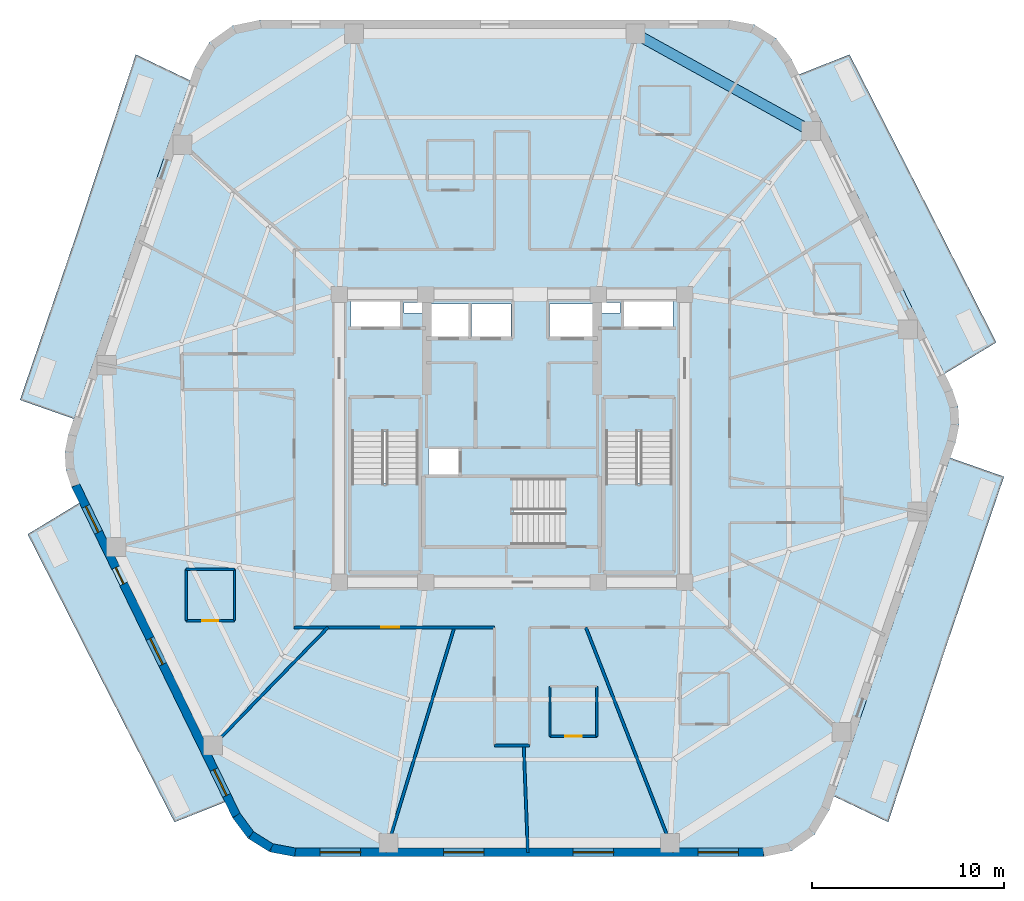
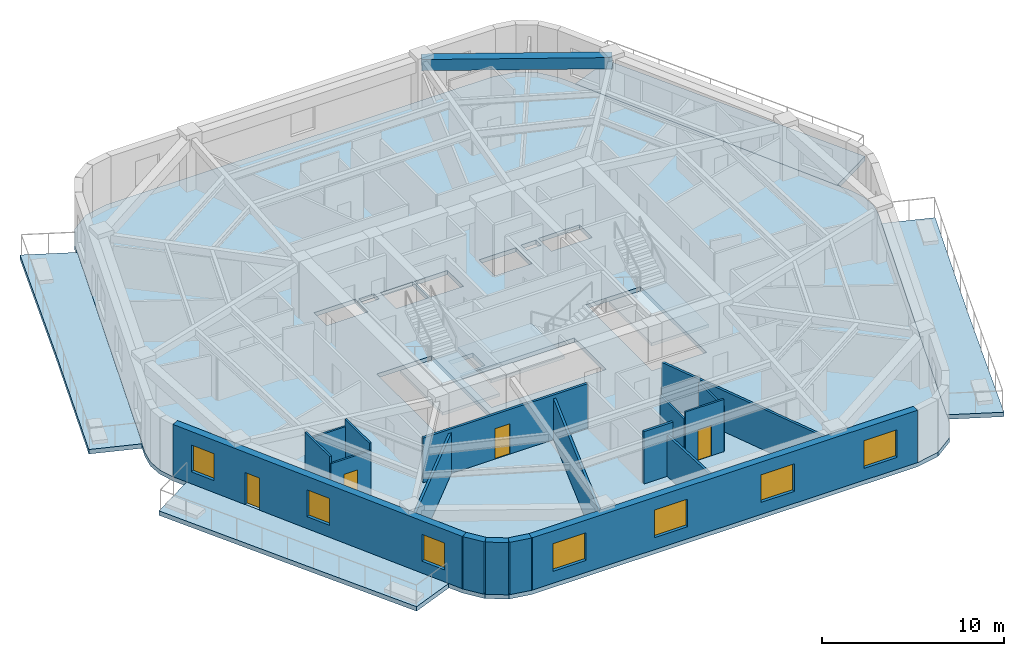
# One storey, part 2 of 9: 18 walls, 8 slabs, 7 windows, 4 doors, 1 beam, 11 openings, 3 elements without a shape of their own.
"""IFC4 building model written with IfcOpenShell, lengths in metres."""

from ifc_helpers import new_model, si_unit, direction, frame, frame_2d, origin, origin_2d, place, context, subcontext, project, spatial, polyline, rectangle, outline, extrude, material, layer, layer_set, material_profile, profile_set, type_object, element, fill, aggregate, save


model = new_model("IFC4")

# Units and contexts
model_context = context("Model", 3, precision=1e-05, world=origin(), true_north=direction((0.0, 1.0)))
body_context = subcontext(model_context, "Body", "Model", "MODEL_VIEW")
ifc_project = project(units=[si_unit("LENGTHUNIT", "METRE"), si_unit("AREAUNIT", "SQUARE_METRE"), si_unit("VOLUMEUNIT", "CUBIC_METRE"), si_unit("PLANEANGLEUNIT", "RADIAN"), si_unit("MASSUNIT", "GRAM", prefix="KILO")], contexts=[model_context])

# Site, building, storey
site_placement = place(None, origin())
site = spatial("IfcSite", under=ifc_project, at=site_placement, CompositionType="ELEMENT")
building_placement = place(site_placement, origin())
building = spatial("IfcBuilding", under=site, at=building_placement, Name="Kilnhurst Terrace Hotel", CompositionType="ELEMENT")
storey_placement = place(building_placement, frame((0.0, 0.0, 240.699951171875)))
storey = spatial("IfcBuildingStorey", under=building, at=storey_placement, Name="L60", CompositionType="ELEMENT", Elevation=240.699951171875)

# Beam
ifc_material_1 = material(Name="Concrete C50/60", Category="concrete")
ifc_material_profile = material_profile(ifc_material_1, rectangle(XDim=0.550048828125, YDim=0.75, at=origin_2d()), Name="RC550X750")
ifc_profile_set = profile_set([ifc_material_profile], Name="Concrete C50/60")
beam_type = type_object("IfcBeamType", Name="BM-SPN-550X750", PredefinedType="SPANDREL", material=ifc_profile_set)
beam_placement = place(storey_placement, frame((15.5869140625, 16.012939453125, 3.125), z_axis=(-0.874970333121, 0.484176534085, 0.0), x_axis=(-0.484176534085, -0.874970333121, 0.0)))
element("IfcBeam", 1, at=beam_placement, inside=storey, type_object=beam_type, Name="L60 Perimeter Spandrel Beam 6", PredefinedType="SPANDREL", context=body_context, shape_type="SweptSolid", body=[
    extrude(rectangle(XDim=0.550048828125, YDim=0.75, at=origin_2d()), origin(), (0.0, 0.0, 1.0), 10.465576171875),
])

# Slabs
ifc_layer_1 = layer(ifc_material_1, 0.300048828125, Name="Concrete C50/60")
ifc_layer_set_1 = layer_set([ifc_layer_1], Name="Concrete C50/60")
slab_type_1 = type_object("IfcSlabType", Name="SLB-BAL-300", PredefinedType="FLOOR", material=ifc_layer_set_1)
slab_1_placement = place(storey_placement, frame((0.0, 0.0, -0.300048828125)))
element("IfcSlab", 2, at=slab_1_placement, inside=storey, type_object=slab_type_1, Name="L60 Cantilevered Planted Terrace Slab BAL-L1A", PredefinedType="FLOOR", context=body_context, shape_type="SweptSolid", body=[
    extrude(outline(polyline([(22.650146484375, -10.76171875), (19.604736328125, -20.0), (16.75830078125, -18.64208984375), (22.8193359375, -1.010498046875), (25.638916015625, -2.0), (22.650146484375, -10.76171875)])), origin(), (0.0, 0.0, 1.0), 0.300048828125),
])
slab_2_placement = place(storey_placement, frame((0.0, 0.0, -0.300048828125)))
element("IfcSlab", 3, at=slab_2_placement, inside=storey, type_object=slab_type_1, Name="L60 Cantilevered Planted Terrace Slab BAL-L1B", PredefinedType="FLOOR", context=body_context, shape_type="SweptSolid", body=[
    extrude(outline(polyline([(25.237548828125, 5.0), (22.527587890625, 3.356201171875), (14.93505859375, 18.95068359375), (17.5888671875, 20.0), (21.440185546875, 12.465576171875), (25.237548828125, 5.0)])), origin(), (0.0, 0.0, 1.0), 0.300048828125),
])
slab_3_placement = place(storey_placement, frame((0.0, 0.0, -0.300048828125)))
element("IfcSlab", 4, at=slab_3_placement, inside=storey, type_object=slab_type_1, Name="L60 Cantilevered Planted Terrace Slab BAL-L2A", PredefinedType="FLOOR", context=body_context, shape_type="SweptSolid", body=[
    extrude(outline(polyline([(-19.604736328125, 20.0), (-16.75830078125, 18.64208984375), (-22.8193359375, 1.010498046875), (-25.638916015625, 2.0), (-22.650146484375, 10.76171875), (-19.604736328125, 20.0)])), origin(), (0.0, 0.0, 1.0), 0.300048828125),
])
slab_4_placement = place(storey_placement, frame((0.0, 0.0, -0.300048828125)))
element("IfcSlab", 5, at=slab_4_placement, inside=storey, type_object=slab_type_1, Name="L60 Cantilevered Planted Terrace Slab BAL-L2B", PredefinedType="FLOOR", context=body_context, shape_type="SweptSolid", body=[
    extrude(outline(polyline([(-25.237548828125, -5.0), (-22.527587890625, -3.356201171875), (-14.93505859375, -18.95068359375), (-17.5888671875, -20.0), (-21.440185546875, -12.465576171875), (-25.237548828125, -5.0)])), origin(), (0.0, 0.0, 1.0), 0.300048828125),
])
ifc_layer_2 = layer(ifc_material_1, 0.280029296875, Name="Concrete C50/60")
ifc_layer_set_2 = layer_set([ifc_layer_2], Name="Concrete C50/60")
slab_type_2 = type_object("IfcSlabType", Name="SLB-FLR-280", PredefinedType="FLOOR", material=ifc_layer_set_2)
slab_5_placement = place(storey_placement, frame((0.0, 0.0, -0.280029296875)))
element("IfcSlab", 6, at=slab_5_placement, inside=storey, type_object=slab_type_2, Name="L60 Structural Floor Slab", PredefinedType="FLOOR", context=body_context, shape_type="SweptSolid", body=[
    extrude(outline(polyline([(-14.555419921875, -19.77587890625), (-13.759765625, -20.845947265625), (-12.629150390625, -21.552978515625), (-11.318603515625, -21.800048828125), (13.124755859375, -21.800048828125), (14.5703125, -21.4970703125), (15.772705078125, -20.638916015625), (16.529296875, -19.370361328125), (23.1162109375, -0.208740234375), (23.302978515625, 0.710693359375), (23.24560546875, 1.6474609375), (22.948486328125, 2.537353515625), (14.555419921875, 19.77587890625), (13.759765625, 20.845947265625), (12.629150390625, 21.552978515625), (11.318603515625, 21.800048828125), (-13.124755859375, 21.800048828125), (-14.5703125, 21.4970703125), (-15.772705078125, 20.638916015625), (-16.529296875, 19.370361328125), (-23.1162109375, 0.208740234375), (-23.302978515625, -0.710693359375), (-23.24560546875, -1.6474609375), (-22.948486328125, -2.537353515625), (-14.555419921875, -19.77587890625)]), holes=[polyline([(-8.35009765625, 0.35498046875), (-4.8798828125, 0.35498046875), (-4.8798828125, -6.89990234375), (-8.35009765625, -6.89990234375), (-8.35009765625, 0.35498046875)]), polyline([(-2.800048828125, -1.89990234375), (-4.35009765625, -1.89990234375), (-4.35009765625, -0.550048828125), (-2.800048828125, -0.550048828125), (-2.800048828125, -1.89990234375)]), polyline([(-2.25, 5.25), (-4.300048828125, 5.25), (-4.300048828125, 7.0), (-2.25, 7.0), (-2.25, 5.25)]), polyline([(-2.1201171875, 5.25), (-2.1201171875, 7.0), (-0.050048828125, 7.0), (-0.050048828125, 5.25), (-2.1201171875, 5.25)]), polyline([(-8.39990234375, 5.75), (-8.39990234375, 7.14990234375), (-5.800048828125, 7.14990234375), (-5.800048828125, 5.75), (-8.39990234375, 5.75)]), polyline([(-4.659912109375, 6.52001953125), (-5.6201171875, 6.52001953125), (-5.6201171875, 7.080078125), (-4.659912109375, 7.080078125), (-4.659912109375, 6.52001953125)]), polyline([(2.7548828125, -5.550048828125), (-4.5, -5.550048828125), (-4.5, -2.080078125), (2.7548828125, -2.080078125), (2.7548828125, -5.550048828125)]), polyline([(8.35009765625, 0.35498046875), (8.35009765625, -6.89990234375), (4.8798828125, -6.89990234375), (4.8798828125, 0.35498046875), (8.35009765625, 0.35498046875)]), polyline([(4.300048828125, 5.25), (1.949951171875, 5.25), (1.949951171875, 7.0), (4.300048828125, 7.0), (4.300048828125, 5.25)]), polyline([(5.800048828125, 5.75), (5.800048828125, 7.14990234375), (8.39990234375, 7.14990234375), (8.39990234375, 5.75), (5.800048828125, 5.75)]), polyline([(4.659912109375, 6.52001953125), (4.659912109375, 7.080078125), (5.6201171875, 7.080078125), (5.6201171875, 6.52001953125), (4.659912109375, 6.52001953125)])]), origin(), (0.0, 0.0, 1.0), 0.280029296875),
])

# Stair, slab
stair_type = type_object("IfcStairType", Name="STR-CORE-1660", PredefinedType="HALF_TURN_STAIR", material=ifc_material_1)
stair_1_placement = place(storey_placement, origin())
stair_1 = element("IfcStair", 7, at=stair_1_placement, inside=storey, type_object=stair_type, Name="L60 ST-1", PredefinedType="HALF_TURN_STAIR")
ifc_layer_3 = layer(ifc_material_1, 0.199951171875, Name="Concrete C50/60")
ifc_layer_set_3 = layer_set([ifc_layer_3], Name="Concrete C50/60")
slab_type_3 = type_object("IfcSlabType", Name="SLB-ST-LND-200", PredefinedType="LANDING", material=ifc_layer_set_3)
slab_6_placement = place(storey_placement, frame((0.0, 0.0, 1.699951171875)))
slab_6 = element("IfcSlab", 8, at=slab_6_placement, type_object=slab_type_3, Name="ST-1 landing 1", PredefinedType="LANDING", context=body_context, shape_type="SweptSolid", body=[
    extrude(outline(polyline([(-8.429931640625, -2.330078125), (-4.800048828125, -2.330078125), (-4.800048828125, -6.97998046875), (-8.429931640625, -6.97998046875), (-8.429931640625, -2.330078125)])), origin(), (0.0, 0.0, 1.0), 0.2001953125),
])
aggregate(stair_1, [slab_6])

stair_2_placement = place(storey_placement, origin())
stair_2 = element("IfcStair", 9, at=stair_2_placement, inside=storey, type_object=stair_type, Name="L60 ST-2", PredefinedType="HALF_TURN_STAIR")
slab_7_placement = place(storey_placement, frame((0.0, 0.0, 1.699951171875)))
slab_7 = element("IfcSlab", 10, at=slab_7_placement, type_object=slab_type_3, Name="ST-2 landing 1", PredefinedType="LANDING", context=body_context, shape_type="SweptSolid", body=[
    extrude(outline(polyline([(4.800048828125, -2.330078125), (8.429931640625, -2.330078125), (8.429931640625, -6.97998046875), (4.800048828125, -6.97998046875), (4.800048828125, -2.330078125)])), origin(), (0.0, 0.0, 1.0), 0.2001953125),
])
aggregate(stair_2, [slab_7])

stair_3_placement = place(storey_placement, origin())
stair_3 = element("IfcStair", 11, at=stair_3_placement, inside=storey, type_object=stair_type, Name="L60 ST-3", PredefinedType="HALF_TURN_STAIR")
slab_8_placement = place(storey_placement, frame((0.0, 0.0, 1.699951171875)))
slab_8 = element("IfcSlab", 12, at=slab_8_placement, type_object=slab_type_3, Name="ST-3 landing 1", PredefinedType="LANDING", context=body_context, shape_type="SweptSolid", body=[
    extrude(outline(polyline([(0.070068359375, -2.0), (0.070068359375, -5.6298828125), (-4.580078125, -5.6298828125), (-4.580078125, -2.0), (0.070068359375, -2.0)])), origin(), (0.0, 0.0, 1.0), 0.2001953125),
])
aggregate(stair_3, [slab_8])

# Walls
ifc_material_2 = material(Name="Precast concrete C40/50", Category="concrete")
ifc_layer_4 = layer(ifc_material_2, 0.449951171875, Name="Precast concrete C40/50")
ifc_layer_set_4 = layer_set([ifc_layer_4], Name="Precast concrete C40/50")
wall_type_1 = type_object("IfcWallType", Name="WL-BRK-450", PredefinedType="SOLIDWALL", material=ifc_layer_set_4)
wall_1_placement = place(storey_placement, frame((-14.3623046875, -19.658447265625, 0.0), z_axis=(0.0, 0.0, 1.0), x_axis=(0.596642462792, -0.80250717853, 0.0)))
element("IfcWall", 13, at=wall_1_placement, inside=storey, type_object=wall_type_1, Name="L60 Rounded Corner Brick Wall C1.1", PredefinedType="SOLIDWALL", context=body_context, shape_type="SweptSolid", body=[
    extrude(rectangle(XDim=1.27001953125, YDim=0.449951171875, at=frame_2d((0.635009765625, 0.0))), origin(), (0.0, 0.0, 1.0), 3.5),
])
wall_2_placement = place(storey_placement, frame((-13.6044921875, -20.677734375, 0.0), z_axis=(0.0, 0.0, 1.0), x_axis=(0.847910404124, -0.53013955387, 0.0)))
element("IfcWall", 14, at=wall_2_placement, inside=storey, type_object=wall_type_1, Name="L60 Rounded Corner Brick Wall C1.2", PredefinedType="SOLIDWALL", context=body_context, shape_type="SweptSolid", body=[
    extrude(rectangle(XDim=1.24853515625, YDim=0.449951171875, at=frame_2d((0.624267578125, 0.0))), origin(), (0.0, 0.0, 1.0), 3.5),
])
wall_3_placement = place(storey_placement, frame((-12.5458984375, -21.339599609375, 0.0), z_axis=(0.0, 0.0, 1.0), x_axis=(0.982686750835, -0.18527479519, 0.0)))
element("IfcWall", 15, at=wall_3_placement, inside=storey, type_object=wall_type_1, Name="L60 Rounded Corner Brick Wall C1.3", PredefinedType="SOLIDWALL", context=body_context, shape_type="SweptSolid", body=[
    extrude(rectangle(XDim=1.270263671875, YDim=0.449951171875, at=frame_2d((0.63525390625, 0.0))), origin(), (0.0, 0.0, 1.0), 3.5),
])

# Wall, openings, windows
wall_4_placement = place(storey_placement, frame((-11.297607421875, -21.574951171875, 0.0), z_axis=(0.0, 0.0, 1.0), x_axis=(1.0, 0.0, 0.0)))
wall_4 = element("IfcWall", 16, at=wall_4_placement, inside=storey, type_object=wall_type_1, Name="L60 Exterior Brick Facade Wall F1", PredefinedType="SOLIDWALL", context=body_context, shape_type="SweptSolid", body=[
    extrude(rectangle(XDim=24.399169921875, YDim=0.449951171875, at=frame_2d((12.19970703125, 0.0))), origin(), (0.0, 0.0, 1.0), 3.5),
])
opening_1_placement = place(wall_4_placement, frame((1.303955078125, 0.0, 0.800048828125)))
opening_1 = element("IfcOpeningElement", 17, at=opening_1_placement, cuts=wall_4, Name="Opening W-04", PredefinedType="OPENING", context=body_context, shape_type="SweptSolid", body=[
    extrude(rectangle(XDim=2.10009765625, YDim=1.85009765625, at=frame_2d((1.050048828125, 0.925048828125))), frame((0.0, 0.23486328125, 0.0), z_axis=(0.0, -1.0, 0.0), x_axis=(1.0, 0.0, 0.0)), (0.0, 0.0, 1.0), 0.469970703125),
])
opening_2_placement = place(wall_4_placement, frame((7.735107421875, 0.0, 0.800048828125)))
opening_2 = element("IfcOpeningElement", 18, at=opening_2_placement, cuts=wall_4, Name="Opening W-04", PredefinedType="OPENING", context=body_context, shape_type="SweptSolid", body=[
    extrude(rectangle(XDim=2.10009765625, YDim=1.85009765625, at=frame_2d((1.050048828125, 0.925048828125))), frame((0.0, 0.23486328125, 0.0), z_axis=(0.0, -1.0, 0.0), x_axis=(1.0, 0.0, 0.0)), (0.0, 0.0, 1.0), 0.469970703125),
])
opening_3_placement = place(wall_4_placement, frame((14.488037109375, 0.0, 0.800048828125)))
opening_3 = element("IfcOpeningElement", 19, at=opening_3_placement, cuts=wall_4, Name="Opening W-04", PredefinedType="OPENING", context=body_context, shape_type="SweptSolid", body=[
    extrude(rectangle(XDim=2.10009765625, YDim=1.85009765625, at=frame_2d((1.050048828125, 0.925048828125))), frame((0.0, 0.23486328125, 0.0), z_axis=(0.0, -1.0, 0.0), x_axis=(1.0, 0.0, 0.0)), (0.0, 0.0, 1.0), 0.469970703125),
])
opening_4_placement = place(wall_4_placement, frame((20.99609375, 0.0, 0.800048828125)))
opening_4 = element("IfcOpeningElement", 20, at=opening_4_placement, cuts=wall_4, Name="Opening W-04", PredefinedType="OPENING", context=body_context, shape_type="SweptSolid", body=[
    extrude(rectangle(XDim=2.10009765625, YDim=1.85009765625, at=frame_2d((1.050048828125, 0.925048828125))), frame((0.0, 0.23486328125, 0.0), z_axis=(0.0, -1.0, 0.0), x_axis=(1.0, 0.0, 0.0)), (0.0, 0.0, 1.0), 0.469970703125),
])
ifc_material_3 = material(Name="Thermally Broken Bronze Aluminium Alloy 6063-T6 and Low-E Glass", Category="aluminium")
window_type_1 = type_object("IfcWindowType", Name="WIN-2100X1850", PartitioningType="SINGLE_PANEL", PredefinedType="WINDOW", material=ifc_material_3)
window_1_placement = place(opening_1_placement, origin())
window_1 = element("IfcWindow", 21, at=window_1_placement, inside=storey, type_object=window_type_1, Name="L60 Deep-Set Masonry Window F1.1", OverallHeight=1.85009765625, OverallWidth=2.10009765625, PartitioningType="SINGLE_PANEL", PredefinedType="WINDOW", context=body_context, shape_type="SweptSolid", body=[
    extrude(rectangle(XDim=2.10009765625, YDim=1.85009765625, at=frame_2d((1.050048828125, 0.925048828125))), frame((0.0, 0.030029296875, 0.0), z_axis=(0.0, -1.0, 0.0), x_axis=(1.0, 0.0, 0.0)), (0.0, 0.0, 1.0), 0.06005859375),
])
fill(opening_1, window_1)
window_2_placement = place(opening_2_placement, origin())
window_2 = element("IfcWindow", 22, at=window_2_placement, inside=storey, type_object=window_type_1, Name="L60 Deep-Set Masonry Window F1.2", OverallHeight=1.85009765625, OverallWidth=2.10009765625, PartitioningType="SINGLE_PANEL", PredefinedType="WINDOW", context=body_context, shape_type="SweptSolid", body=[
    extrude(rectangle(XDim=2.10009765625, YDim=1.85009765625, at=frame_2d((1.050048828125, 0.925048828125))), frame((0.0, 0.030029296875, 0.0), z_axis=(0.0, -1.0, 0.0), x_axis=(1.0, 0.0, 0.0)), (0.0, 0.0, 1.0), 0.06005859375),
])
fill(opening_2, window_2)
window_3_placement = place(opening_3_placement, origin())
window_3 = element("IfcWindow", 23, at=window_3_placement, inside=storey, type_object=window_type_1, Name="L60 Deep-Set Masonry Window F1.3", OverallHeight=1.85009765625, OverallWidth=2.10009765625, PartitioningType="SINGLE_PANEL", PredefinedType="WINDOW", context=body_context, shape_type="SweptSolid", body=[
    extrude(rectangle(XDim=2.10009765625, YDim=1.85009765625, at=frame_2d((1.050048828125, 0.925048828125))), frame((0.0, 0.030029296875, 0.0), z_axis=(0.0, -1.0, 0.0), x_axis=(1.0, 0.0, 0.0)), (0.0, 0.0, 1.0), 0.06005859375),
])
fill(opening_3, window_3)
window_4_placement = place(opening_4_placement, origin())
window_4 = element("IfcWindow", 24, at=window_4_placement, inside=storey, type_object=window_type_1, Name="L60 Deep-Set Masonry Window F1.4", OverallHeight=1.85009765625, OverallWidth=2.10009765625, PartitioningType="SINGLE_PANEL", PredefinedType="WINDOW", context=body_context, shape_type="SweptSolid", body=[
    extrude(rectangle(XDim=2.10009765625, YDim=1.85009765625, at=frame_2d((1.050048828125, 0.925048828125))), frame((0.0, 0.030029296875, 0.0), z_axis=(0.0, -1.0, 0.0), x_axis=(1.0, 0.0, 0.0)), (0.0, 0.0, 1.0), 0.06005859375),
])
fill(opening_4, window_4)

# Wall, openings, door, windows
wall_5_placement = place(storey_placement, frame((-22.73974609375, -2.4521484375, 0.0), z_axis=(0.0, 0.0, 1.0), x_axis=(0.437753424814, -0.899095066755, 0.0)))
wall_5 = element("IfcWall", 25, at=wall_5_placement, inside=storey, type_object=wall_type_1, Name="L60 Exterior Brick Facade Wall F6", PredefinedType="SOLIDWALL", context=body_context, shape_type="SweptSolid", body=[
    extrude(rectangle(XDim=19.137451171875, YDim=0.449951171875, at=frame_2d((9.56884765625, 0.0))), origin(), (0.0, 0.0, 1.0), 3.5),
])
opening_5_placement = place(wall_5_placement, frame((4.762939453125, 0.0, 0.0)))
opening_5 = element("IfcOpeningElement", 26, at=opening_5_placement, cuts=wall_5, Name="Opening BD-950", PredefinedType="OPENING", context=body_context, shape_type="SweptSolid", body=[
    extrude(rectangle(XDim=0.949951171875, YDim=2.14990234375, at=frame_2d((0.47509765625, 1.074951171875))), frame((0.0, 0.23486328125, 0.0), z_axis=(0.0, -1.0, 0.0), x_axis=(1.0, 0.0, 0.0)), (0.0, 0.0, 1.0), 0.469970703125),
])
opening_6_placement = place(wall_5_placement, frame((1.216064453125, 0.0, 0.800048828125)))
opening_6 = element("IfcOpeningElement", 27, at=opening_6_placement, cuts=wall_5, Name="Opening W-02", PredefinedType="OPENING", context=body_context, shape_type="SweptSolid", body=[
    extrude(rectangle(XDim=1.5, YDim=1.800048828125, at=frame_2d((0.75, 0.89990234375))), frame((0.0, 0.23486328125, 0.0), z_axis=(0.0, -1.0, 0.0), x_axis=(1.0, 0.0, 0.0)), (0.0, 0.0, 1.0), 0.469970703125),
])
opening_7_placement = place(wall_5_placement, frame((8.8701171875, 0.0, 0.800048828125)))
opening_7 = element("IfcOpeningElement", 28, at=opening_7_placement, cuts=wall_5, Name="Opening W-02", PredefinedType="OPENING", context=body_context, shape_type="SweptSolid", body=[
    extrude(rectangle(XDim=1.5, YDim=1.800048828125, at=frame_2d((0.75, 0.89990234375))), frame((0.0, 0.23486328125, 0.0), z_axis=(0.0, -1.0, 0.0), x_axis=(1.0, 0.0, 0.0)), (0.0, 0.0, 1.0), 0.469970703125),
])
opening_8_placement = place(wall_5_placement, frame((16.472900390625, 0.0, 0.800048828125)))
opening_8 = element("IfcOpeningElement", 29, at=opening_8_placement, cuts=wall_5, Name="Opening W-02", PredefinedType="OPENING", context=body_context, shape_type="SweptSolid", body=[
    extrude(rectangle(XDim=1.5, YDim=1.800048828125, at=frame_2d((0.75, 0.89990234375))), frame((0.0, 0.23486328125, 0.0), z_axis=(0.0, -1.0, 0.0), x_axis=(1.0, 0.0, 0.0)), (0.0, 0.0, 1.0), 0.469970703125),
])
ifc_material_4 = material(Name="Thermally Broken Bronze Aluminium Alloy 6063-T6 and Laminated Glass", Category="aluminium")
door_type_1 = type_object("IfcDoorType", Name="DR-EXT-BAL-950", OperationType="NOTDEFINED", PredefinedType="DOOR", material=ifc_material_4)
door_1_placement = place(opening_5_placement, origin())
door_1 = element("IfcDoor", 30, at=door_1_placement, inside=storey, type_object=door_type_1, Name="L60 Planted Balcony Door BAL-L2B", OperationType="SINGLE_SWING_RIGHT", OverallHeight=2.14990234375, OverallWidth=0.949951171875, PredefinedType="DOOR", context=body_context, shape_type="SweptSolid", body=[
    extrude(rectangle(XDim=0.949951171875, YDim=2.14990234375, at=frame_2d((0.47509765625, 1.074951171875))), frame((0.0, 0.02490234375, 0.0), z_axis=(0.0, -1.0, 0.0), x_axis=(1.0, 0.0, 0.0)), (0.0, 0.0, 1.0), 0.050048828125),
])
fill(opening_5, door_1)
window_type_2 = type_object("IfcWindowType", Name="WIN-1500X1800", PartitioningType="SINGLE_PANEL", PredefinedType="WINDOW", material=ifc_material_3)
window_5_placement = place(opening_6_placement, origin())
window_5 = element("IfcWindow", 31, at=window_5_placement, inside=storey, type_object=window_type_2, Name="L60 Deep-Set Masonry Window F6.1", OverallHeight=1.800048828125, OverallWidth=1.5, PartitioningType="SINGLE_PANEL", PredefinedType="WINDOW", context=body_context, shape_type="SweptSolid", body=[
    extrude(rectangle(XDim=1.5, YDim=1.800048828125, at=frame_2d((0.75, 0.89990234375))), frame((0.0, 0.030029296875, 0.0), z_axis=(0.0, -1.0, 0.0), x_axis=(1.0, 0.0, 0.0)), (0.0, 0.0, 1.0), 0.06005859375),
])
fill(opening_6, window_5)
window_6_placement = place(opening_7_placement, origin())
window_6 = element("IfcWindow", 32, at=window_6_placement, inside=storey, type_object=window_type_2, Name="L60 Deep-Set Masonry Window F6.2", OverallHeight=1.800048828125, OverallWidth=1.5, PartitioningType="SINGLE_PANEL", PredefinedType="WINDOW", context=body_context, shape_type="SweptSolid", body=[
    extrude(rectangle(XDim=1.5, YDim=1.800048828125, at=frame_2d((0.75, 0.89990234375))), frame((0.0, 0.030029296875, 0.0), z_axis=(0.0, -1.0, 0.0), x_axis=(1.0, 0.0, 0.0)), (0.0, 0.0, 1.0), 0.06005859375),
])
fill(opening_7, window_6)
window_7_placement = place(opening_8_placement, origin())
window_7 = element("IfcWindow", 33, at=window_7_placement, inside=storey, type_object=window_type_2, Name="L60 Deep-Set Masonry Window F6.3", OverallHeight=1.800048828125, OverallWidth=1.5, PartitioningType="SINGLE_PANEL", PredefinedType="WINDOW", context=body_context, shape_type="SweptSolid", body=[
    extrude(rectangle(XDim=1.5, YDim=1.800048828125, at=frame_2d((0.75, 0.89990234375))), frame((0.0, 0.030029296875, 0.0), z_axis=(0.0, -1.0, 0.0), x_axis=(1.0, 0.0, 0.0)), (0.0, 0.0, 1.0), 0.06005859375),
])
fill(opening_8, window_7)

# Wall
ifc_material_5 = material(Name="Acoustic Double-Gypsum Corridor Partition Assembly")
ifc_layer_5 = layer(ifc_material_5, 0.14990234375, Name="Acoustic Double-Gypsum Corridor Partition Assembly")
ifc_layer_set_5 = layer_set([ifc_layer_5], Name="Acoustic Double-Gypsum Corridor Partition Assembly")
wall_type_2 = type_object("IfcWallType", Name="WL-COR-150", PredefinedType="PARTITIONING", material=ifc_layer_set_5)
wall_6_placement = place(storey_placement, frame((0.919921875, -16.0, 0.0), z_axis=(0.0, 0.0, 1.0), x_axis=(-1.0, 0.0, 0.0)))
element("IfcWall", 34, at=wall_6_placement, inside=storey, type_object=wall_type_2, Name="L60 Interior Wall WL-L60-COR-18", PredefinedType="PARTITIONING", context=body_context, shape_type="SweptSolid", body=[
    extrude(rectangle(XDim=1.83984375, YDim=0.14990234375, at=frame_2d((0.919921875, 0.0))), origin(), (0.0, 0.0, 1.0), 3.5),
])

# Wall, opening, door
wall_7_placement = place(storey_placement, frame((-0.919921875, -9.85009765625, 0.0), z_axis=(0.0, 0.0, 1.0), x_axis=(-1.0, 0.0, 0.0)))
wall_7 = element("IfcWall", 35, at=wall_7_placement, inside=storey, type_object=wall_type_2, Name="L60 Interior Wall WL-L60-COR-20", PredefinedType="PARTITIONING", context=body_context, shape_type="SweptSolid", body=[
    extrude(rectangle(XDim=10.43017578125, YDim=0.14990234375, at=frame_2d((5.215087890625, 0.0))), origin(), (0.0, 0.0, 1.0), 2.989990234375),
])
opening_9_placement = place(wall_7_placement, frame((4.948974609375, 0.0, 0.0)))
opening_9 = element("IfcOpeningElement", 36, at=opening_9_placement, cuts=wall_7, Name="Opening D-60B", PredefinedType="OPENING", context=body_context, shape_type="SweptSolid", body=[
    extrude(rectangle(XDim=0.949951171875, YDim=2.030029296875, at=frame_2d((0.47509765625, 1.01513671875))), frame((0.0, 0.0849609375, 0.0), z_axis=(0.0, -1.0, 0.0), x_axis=(1.0, 0.0, 0.0)), (0.0, 0.0, 1.0), 0.169921875),
])
ifc_material_6 = material(Name="Acoustic Walnut Veneer Solid-Core Fire Door")
door_type_2 = type_object("IfcDoorType", Name="DR-FD60-950", OperationType="NOTDEFINED", PredefinedType="DOOR", material=ifc_material_6)
door_2_placement = place(opening_9_placement, origin())
door_2 = element("IfcDoor", 37, at=door_2_placement, inside=storey, type_object=door_type_2, Name="L60 Executive Boardroom Door", OperationType="SINGLE_SWING_LEFT", OverallHeight=2.030029296875, OverallWidth=0.949951171875, PredefinedType="DOOR", context=body_context, shape_type="SweptSolid", body=[
    extrude(rectangle(XDim=0.949951171875, YDim=2.030029296875, at=frame_2d((0.47509765625, 1.01513671875))), frame((0.0, 0.02490234375, 0.0), z_axis=(0.0, -1.0, 0.0), x_axis=(1.0, 0.0, 0.0)), (0.0, 0.0, 1.0), 0.050048828125),
])
fill(opening_9, door_2)

# Walls
ifc_material_7 = material(Name="STC-58 Acoustic Twin-Frame Guestroom Demising Partition")
ifc_layer_6 = layer(ifc_material_7, 0.14990234375, Name="STC-58 Acoustic Twin-Frame Guestroom Demising Partition")
ifc_layer_set_6 = layer_set([ifc_layer_6], Name="STC-58 Acoustic Twin-Frame Guestroom Demising Partition")
wall_type_3 = type_object("IfcWallType", Name="WL-DEM-150", PredefinedType="PARTITIONING", material=ifc_layer_set_6)
wall_8_placement = place(storey_placement, frame((-9.587890625, -9.85009765625, 0.0), z_axis=(0.0, 0.0, 1.0), x_axis=(-0.697519469595, -0.716565830567, 0.0)))
element("IfcWall", 38, at=wall_8_placement, inside=storey, type_object=wall_type_3, Name="L60 Interior Wall WL-L60-DEM-COL08-11-1", PredefinedType="PARTITIONING", context=body_context, shape_type="SweptSolid", body=[
    extrude(rectangle(XDim=9.12646484375, YDim=0.14990234375, at=frame_2d((4.563232421875, 0.0))), origin(), (0.0, 0.0, 1.0), 2.739990234375),
])
wall_9_placement = place(storey_placement, frame((-3.00439453125, -9.85009765625, 0.0), z_axis=(0.0, 0.0, 1.0), x_axis=(-0.291775760688, -0.956486751333, 0.0)))
element("IfcWall", 39, at=wall_9_placement, inside=storey, type_object=wall_type_3, Name="L60 Interior Wall WL-L60-DEM-COL09-12-1", PredefinedType="PARTITIONING", context=body_context, shape_type="SweptSolid", body=[
    extrude(rectangle(XDim=12.25830078125, YDim=0.14990234375, at=frame_2d((6.129150390625, 0.0))), origin(), (0.0, 0.0, 1.0), 2.739990234375),
])
wall_10_placement = place(storey_placement, frame((0.611572265625, -16.0, 0.0), z_axis=(0.0, 0.0, 1.0), x_axis=(0.038202877739, -0.999270003619, 0.0)))
element("IfcWall", 40, at=wall_10_placement, inside=storey, type_object=wall_type_3, Name="L60 Interior Wall WL-L60-DEM-MID09-13-1", PredefinedType="PARTITIONING", context=body_context, shape_type="SweptSolid", body=[
    extrude(rectangle(XDim=5.5791015625, YDim=0.14990234375, at=frame_2d((2.78955078125, 0.0))), origin(), (0.0, 0.0, 1.0), 2.739990234375),
])
wall_11_placement = place(storey_placement, frame((3.848388671875, -9.85009765625, 0.0), z_axis=(0.0, 0.0, 1.0), x_axis=(0.363921778212, -0.931429513889, 0.0)))
element("IfcWall", 41, at=wall_11_placement, inside=storey, type_object=wall_type_3, Name="L60 Interior Wall WL-L60-DEM-COL10-14-1", PredefinedType="PARTITIONING", context=body_context, shape_type="SweptSolid", body=[
    extrude(rectangle(XDim=12.588134765625, YDim=0.14990234375, at=frame_2d((6.2939453125, 0.0))), origin(), (0.0, 0.0, 1.0), 2.739990234375),
])

# Wall, opening, door
ifc_material_8 = material(Name="120 mm Moisture-Resistant Tile-Backed Bathroom Partition")
ifc_layer_7 = layer(ifc_material_8, 0.1201171875, Name="120 mm Moisture-Resistant Tile-Backed Bathroom Partition")
ifc_layer_set_7 = layer_set([ifc_layer_7], Name="120 mm Moisture-Resistant Tile-Backed Bathroom Partition")
wall_type_4 = type_object("IfcWallType", Name="WL-PART-120", PredefinedType="PARTITIONING", material=ifc_layer_set_7)
wall_12_placement = place(storey_placement, frame((-16.97998046875, -9.5048828125, 0.0), z_axis=(0.0, 0.0, 1.0), x_axis=(1.0, 0.0, 0.0)))
wall_12 = element("IfcWall", 42, at=wall_12_placement, inside=storey, type_object=wall_type_4, Name="L60 Interior Wall WL-L60-BTH-10-1", PredefinedType="PARTITIONING", context=body_context, shape_type="SweptSolid", body=[
    extrude(rectangle(XDim=2.52001953125, YDim=0.1201171875, at=frame_2d((1.260009765625, 0.0))), origin(), (0.0, 0.0, 1.0), 3.026611328125),
])
opening_10_placement = place(wall_12_placement, frame((0.8349609375, 0.0, 0.0)))
opening_10 = element("IfcOpeningElement", 43, at=opening_10_placement, cuts=wall_12, Name="Opening D-08A", PredefinedType="OPENING", context=body_context, shape_type="SweptSolid", body=[
    extrude(rectangle(XDim=0.85009765625, YDim=2.030029296875, at=frame_2d((0.425048828125, 1.01513671875))), frame((0.0, 0.070068359375, 0.0), z_axis=(0.0, -1.0, 0.0), x_axis=(1.0, 0.0, 0.0)), (0.0, 0.0, 1.0), 0.14013671875),
])
ifc_material_9 = material(Name="Moisture-Resistant Lacquered En-suite Bathroom Door")
door_type_3 = type_object("IfcDoorType", Name="DR-INT-850", OperationType="NOTDEFINED", PredefinedType="DOOR", material=ifc_material_9)
door_3_placement = place(opening_10_placement, origin())
door_3 = element("IfcDoor", 44, at=door_3_placement, inside=storey, type_object=door_type_3, Name="L60 En-suite Bathroom Door 10", OperationType="SINGLE_SWING_LEFT", OverallHeight=2.030029296875, OverallWidth=0.85009765625, PredefinedType="DOOR", context=body_context, shape_type="SweptSolid", body=[
    extrude(rectangle(XDim=0.85009765625, YDim=2.030029296875, at=frame_2d((0.425048828125, 1.01513671875))), frame((0.0, 0.02490234375, 0.0), z_axis=(0.0, -1.0, 0.0), x_axis=(1.0, 0.0, 0.0)), (0.0, 0.0, 1.0), 0.050048828125),
])
fill(opening_10, door_3)

# Walls
wall_13_placement = place(storey_placement, frame((-14.4599609375, -9.5048828125, 0.0), z_axis=(0.0, 0.0, 1.0), x_axis=(0.0, 1.0, 0.0)))
element("IfcWall", 45, at=wall_13_placement, inside=storey, type_object=wall_type_4, Name="L60 Interior Wall WL-L60-BTH-10-2", PredefinedType="PARTITIONING", context=body_context, shape_type="SweptSolid", body=[
    extrude(rectangle(XDim=2.679931640625, YDim=0.1201171875, at=frame_2d((1.33984375, 0.0))), origin(), (0.0, 0.0, 1.0), 3.5),
])
wall_14_placement = place(storey_placement, frame((-14.4599609375, -6.824951171875, 0.0), z_axis=(0.0, 0.0, 1.0), x_axis=(-1.0, 0.0, 0.0)))
element("IfcWall", 46, at=wall_14_placement, inside=storey, type_object=wall_type_4, Name="L60 Interior Wall WL-L60-BTH-10-3", PredefinedType="PARTITIONING", context=body_context, shape_type="SweptSolid", body=[
    extrude(rectangle(XDim=2.52001953125, YDim=0.1201171875, at=frame_2d((1.260009765625, 0.0))), origin(), (0.0, 0.0, 1.0), 3.026611328125),
])
wall_15_placement = place(storey_placement, frame((-16.97998046875, -6.824951171875, 0.0), z_axis=(0.0, 0.0, 1.0), x_axis=(0.0, -1.0, 0.0)))
element("IfcWall", 47, at=wall_15_placement, inside=storey, type_object=wall_type_4, Name="L60 Interior Wall WL-L60-BTH-10-4", PredefinedType="PARTITIONING", context=body_context, shape_type="SweptSolid", body=[
    extrude(rectangle(XDim=2.679931640625, YDim=0.1201171875, at=frame_2d((1.33984375, 0.0))), origin(), (0.0, 0.0, 1.0), 3.5),
])

# Wall, opening, door
wall_16_placement = place(storey_placement, frame((1.97802734375, -15.530029296875, 0.0), z_axis=(0.0, 0.0, 1.0), x_axis=(1.0, 0.0, 0.0)))
wall_16 = element("IfcWall", 48, at=wall_16_placement, inside=storey, type_object=wall_type_4, Name="L60 Interior Wall WL-L60-BTH-13-1", PredefinedType="PARTITIONING", context=body_context, shape_type="SweptSolid", body=[
    extrude(rectangle(XDim=2.43994140625, YDim=0.1201171875, at=frame_2d((1.219970703125, 0.0))), origin(), (0.0, 0.0, 1.0), 3.5),
])
opening_11_placement = place(wall_16_placement, frame((0.794921875, 0.0, 0.0)))
opening_11 = element("IfcOpeningElement", 49, at=opening_11_placement, cuts=wall_16, Name="Opening D-08A", PredefinedType="OPENING", context=body_context, shape_type="SweptSolid", body=[
    extrude(rectangle(XDim=0.85009765625, YDim=2.030029296875, at=frame_2d((0.425048828125, 1.01513671875))), frame((0.0, 0.070068359375, 0.0), z_axis=(0.0, -1.0, 0.0), x_axis=(1.0, 0.0, 0.0)), (0.0, 0.0, 1.0), 0.14013671875),
])
door_4_placement = place(opening_11_placement, origin())
door_4 = element("IfcDoor", 50, at=door_4_placement, inside=storey, type_object=door_type_3, Name="L60 En-suite Bathroom Door 13", OperationType="SINGLE_SWING_RIGHT", OverallHeight=2.030029296875, OverallWidth=0.85009765625, PredefinedType="DOOR", context=body_context, shape_type="SweptSolid", body=[
    extrude(rectangle(XDim=0.85009765625, YDim=2.030029296875, at=frame_2d((0.425048828125, 1.01513671875))), frame((0.0, 0.02490234375, 0.0), z_axis=(0.0, -1.0, 0.0), x_axis=(1.0, 0.0, 0.0)), (0.0, 0.0, 1.0), 0.050048828125),
])
fill(opening_11, door_4)

# Walls
for number, where, z_axis, x_axis, name in (
    (51, (4.41796875, -15.530029296875, 0.0), (0.0, 0.0, 1.0), (0.0, 1.0, 0.0), "L60 Interior Wall WL-L60-BTH-13-2"),
    (52, (1.97802734375, -12.919921875, 0.0), (0.0, 0.0, 1.0), (0.0, -1.0, 0.0), "L60 Interior Wall WL-L60-BTH-13-4"),
):
    element("IfcWall", number, at=place(storey_placement, frame(where, z_axis=z_axis, x_axis=x_axis)), inside=storey, type_object=wall_type_4, Name=name, PredefinedType="PARTITIONING", context=body_context, shape_type="SweptSolid", body=[
        extrude(rectangle(XDim=2.610107421875, YDim=0.1201171875, at=frame_2d((1.30517578125, 0.0))), origin(), (0.0, 0.0, 1.0), 3.026611328125),
    ])

save(model, "model.ifc")
